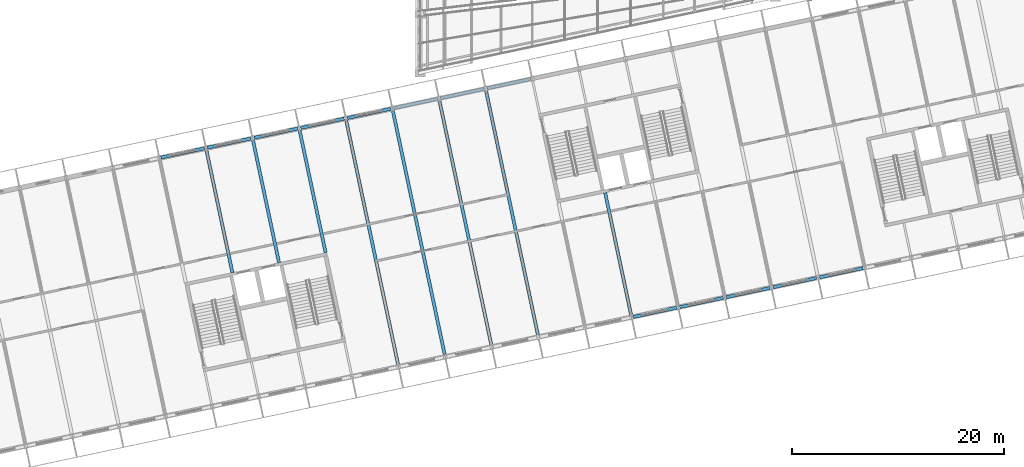
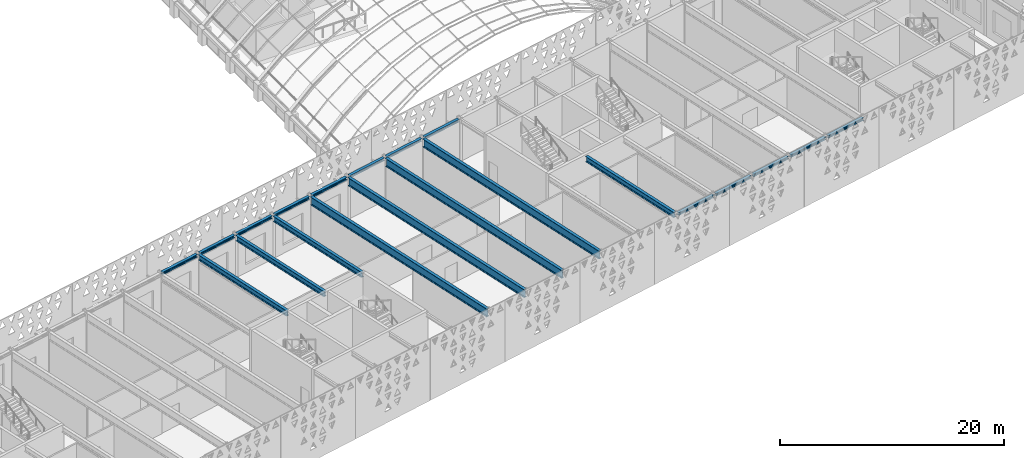
# One storey, part 29 of 182: 21 beams.
"""IFC4 building model written with IfcOpenShell, lengths in metres."""

from ifc_helpers import new_model, si_unit, direction, frame, origin, origin_2d, place, context, subcontext, project, spatial, i_section, extrude, material, material_profile, profile_set, type_object, element, save


model = new_model("IFC4")

# Units and contexts
model_context = context("Model", 3, precision=1e-05, world=origin(), true_north=direction((0.0, 1.0)))
body_context = subcontext(model_context, "Body", "Model", "MODEL_VIEW")
ifc_project = project(units=[si_unit("LENGTHUNIT", "METRE"), si_unit("AREAUNIT", "SQUARE_METRE"), si_unit("VOLUMEUNIT", "CUBIC_METRE"), si_unit("PLANEANGLEUNIT", "RADIAN"), si_unit("MASSUNIT", "GRAM", prefix="KILO")], contexts=[model_context])

# Site, building, storey
site_placement = place(None, origin())
site = spatial("IfcSite", under=ifc_project, at=site_placement, CompositionType="ELEMENT")
building_placement = place(site_placement, origin())
building = spatial("IfcBuilding", under=site, at=building_placement, Name="Okhra Congress Centre", CompositionType="ELEMENT")
storey_placement = place(building_placement, frame((0.0, 0.0, 7.199951171875)))
storey = spatial("IfcBuildingStorey", under=building, at=storey_placement, Name="L01", CompositionType="ELEMENT", Elevation=7.199951171875)

# Beams
ifc_material = material(Name="Steel S355J2", Category="steel")
ifc_material_profile_1 = material_profile(ifc_material, i_section(OverallWidth=0.300048828125, OverallDepth=0.2900390625, WebThickness=0.008544921875, FlangeThickness=0.013916015625, FilletRadius=0.027099609375, at=origin_2d()), Name="HE 300 A")
ifc_profile_set_1 = profile_set([ifc_material_profile_1], Name="Steel S355J2")
beam_type_1 = type_object("IfcBeamType", Name="Edge beam HE 300 A", PredefinedType="BEAM", material=ifc_profile_set_1)
for number, where, z_axis, x_axis, name in (
    (1, (175.60107421875, 51.166015625, 4.505126953125), (0.978143927149, 0.207928972925, 0.0), (-0.207928972925, 0.978143927149, 0.0), "Edge beam S27"),
    (2, (180.002685546875, 52.101806640625, 4.505126953125), (0.978155748334, 0.207873355681, 0.0), (-0.207873355681, 0.978155748334, 0.0), "Edge beam S28"),
    (3, (184.404296875, 53.037353515625, 4.505126953125), (0.978143927149, 0.207928972925, 0.0), (-0.207928972925, 0.978143927149, 0.0), "Edge beam S29"),
):
    element("IfcBeam", number, at=place(storey_placement, frame(where, z_axis=z_axis, x_axis=x_axis)), inside=storey, type_object=beam_type_1, Name=name, PredefinedType="BEAM", context=body_context, shape_type="SweptSolid", body=[
        extrude(i_section(OverallWidth=0.300048828125, OverallDepth=0.2900390625, WebThickness=0.008544921875, FlangeThickness=0.013916015625, FilletRadius=0.027099609375, at=origin_2d()), origin(), (0.0, 0.0, 1.0), 4.199951171875),
    ])
for number, where, z_axis, x_axis, name in (
    (4, (188.805908203125, 53.972900390625, 4.505126953125), (0.978146440129, 0.207917150959, 0.0), (-0.207917150959, 0.978146440129, 0.0), "Edge beam S30"),
    (5, (193.20751953125, 54.908447265625, 4.505126953125), (0.978146440129, 0.207917150959, 0.0), (-0.207917150959, 0.978146440129, 0.0), "Edge beam S31"),
):
    element("IfcBeam", number, at=place(storey_placement, frame(where, z_axis=z_axis, x_axis=x_axis)), inside=storey, type_object=beam_type_1, Name=name, PredefinedType="BEAM", context=body_context, shape_type="SweptSolid", body=[
        extrude(i_section(OverallWidth=0.300048828125, OverallDepth=0.2900390625, WebThickness=0.008544921875, FlangeThickness=0.013916015625, FilletRadius=0.027099609375, at=origin_2d()), origin(), (0.0, 0.0, 1.0), 4.2001953125),
    ])
beam_1_placement = place(storey_placement, frame((130.99609375, 66.22119140625, 4.505126953125), z_axis=(0.978143927149, 0.207928972925, 0.0), x_axis=(-0.207928972925, 0.978143927149, 0.0)))
element("IfcBeam", 6, at=beam_1_placement, inside=storey, type_object=beam_type_1, Name="Edge beam N18", PredefinedType="BEAM", context=body_context, shape_type="SweptSolid", body=[
    extrude(i_section(OverallWidth=0.300048828125, OverallDepth=0.2900390625, WebThickness=0.008544921875, FlangeThickness=0.013916015625, FilletRadius=0.027099609375, at=origin_2d()), origin(), (0.0, 0.0, 1.0), 4.199951171875),
])
beam_2_placement = place(storey_placement, frame((135.397705078125, 67.15673828125, 4.505126953125), z_axis=(0.978146440129, 0.207917150959, 0.0), x_axis=(-0.207917150959, 0.978146440129, 0.0)))
element("IfcBeam", 7, at=beam_2_placement, inside=storey, type_object=beam_type_1, Name="Edge beam N19", PredefinedType="BEAM", context=body_context, shape_type="SweptSolid", body=[
    extrude(i_section(OverallWidth=0.300048828125, OverallDepth=0.2900390625, WebThickness=0.008544921875, FlangeThickness=0.013916015625, FilletRadius=0.027099609375, at=origin_2d()), origin(), (0.0, 0.0, 1.0), 4.2001953125),
])
for number, where, z_axis, x_axis, name in (
    (8, (139.799560546875, 68.092529296875, 4.505126953125), (0.978155748334, 0.207873355681, 0.0), (-0.207873355681, 0.978155748334, 0.0), "Edge beam N20"),
    (9, (144.201171875, 69.028076171875, 4.505126953125), (0.978143927149, 0.207928972925, 0.0), (-0.207928972925, 0.978143927149, 0.0), "Edge beam N21"),
    (10, (148.602783203125, 69.963623046875, 4.505126953125), (0.978143927149, 0.207928972925, 0.0), (-0.207928972925, 0.978143927149, 0.0), "Edge beam N22"),
    (11, (153.00439453125, 70.899169921875, 4.505126953125), (0.978143927149, 0.207928972925, 0.0), (-0.207928972925, 0.978143927149, 0.0), "Edge beam N23"),
):
    element("IfcBeam", number, at=place(storey_placement, frame(where, z_axis=z_axis, x_axis=x_axis)), inside=storey, type_object=beam_type_1, Name=name, PredefinedType="BEAM", context=body_context, shape_type="SweptSolid", body=[
        extrude(i_section(OverallWidth=0.300048828125, OverallDepth=0.2900390625, WebThickness=0.008544921875, FlangeThickness=0.013916015625, FilletRadius=0.027099609375, at=origin_2d()), origin(), (0.0, 0.0, 1.0), 4.199951171875),
    ])
beam_3_placement = place(storey_placement, frame((157.406005859375, 71.834716796875, 4.505126953125), z_axis=(0.978146440129, 0.207917150959, 0.0), x_axis=(-0.207917150959, 0.978146440129, 0.0)))
element("IfcBeam", 12, at=beam_3_placement, inside=storey, type_object=beam_type_1, Name="Edge beam N24", PredefinedType="BEAM", context=body_context, shape_type="SweptSolid", body=[
    extrude(i_section(OverallWidth=0.300048828125, OverallDepth=0.2900390625, WebThickness=0.008544921875, FlangeThickness=0.013916015625, FilletRadius=0.027099609375, at=origin_2d()), origin(), (0.0, 0.0, 1.0), 4.2001953125),
])
beam_4_placement = place(storey_placement, frame((161.807861328125, 72.7705078125, 4.505126953125), z_axis=(0.978155748334, 0.207873355681, 0.0), x_axis=(-0.207873355681, 0.978155748334, 0.0)))
element("IfcBeam", 13, at=beam_4_placement, inside=storey, type_object=beam_type_1, Name="Edge beam N25", PredefinedType="BEAM", context=body_context, shape_type="SweptSolid", body=[
    extrude(i_section(OverallWidth=0.300048828125, OverallDepth=0.2900390625, WebThickness=0.008544921875, FlangeThickness=0.013916015625, FilletRadius=0.027099609375, at=origin_2d()), origin(), (0.0, 0.0, 1.0), 4.199951171875),
])
ifc_material_profile_2 = material_profile(ifc_material, i_section(OverallWidth=0.300048828125, OverallDepth=0.590087890625, WebThickness=0.012939453125, FlangeThickness=0.02490234375, FilletRadius=0.027099609375, at=origin_2d()), Name="HE 600 A")
ifc_profile_set_2 = profile_set([ifc_material_profile_2], Name="Steel S355J2")
beam_type_2 = type_object("IfcBeamType", Name="Floor beam HE 600 A", PredefinedType="BEAM", material=ifc_profile_set_2)
beam_5_placement = place(storey_placement, frame((137.751220703125, 55.36328125, 4.35498046875), z_axis=(-0.207905998145, 0.978148810731, 0.0), x_axis=(-0.978148810731, -0.207905998145, 0.0)))
element("IfcBeam", 14, at=beam_5_placement, inside=storey, type_object=beam_type_2, Name="Floor beam 18.2", PredefinedType="BEAM", context=body_context, shape_type="SweptSolid", body=[
    extrude(i_section(OverallWidth=0.300048828125, OverallDepth=0.590087890625, WebThickness=0.012939453125, FlangeThickness=0.02490234375, FilletRadius=0.027099609375, at=origin_2d()), origin(), (0.0, 0.0, 1.0), 11.80517578125),
])
beam_6_placement = place(storey_placement, frame((142.15283203125, 56.299072265625, 4.35498046875), z_axis=(-0.207910203977, 0.97814791677, 0.0), x_axis=(-0.97814791677, -0.207910203977, 0.0)))
element("IfcBeam", 15, at=beam_6_placement, inside=storey, type_object=beam_type_2, Name="Floor beam 19.2", PredefinedType="BEAM", context=body_context, shape_type="SweptSolid", body=[
    extrude(i_section(OverallWidth=0.300048828125, OverallDepth=0.590087890625, WebThickness=0.012939453125, FlangeThickness=0.02490234375, FilletRadius=0.027099609375, at=origin_2d()), origin(), (0.0, 0.0, 1.0), 11.804931640625),
])
for number, where, z_axis, x_axis, name in (
    (16, (146.554443359375, 57.234619140625, 4.35498046875), (-0.207905998145, 0.978148810731, 0.0), (-0.978148810731, -0.207905998145, 0.0), "Floor beam 20.2"),
    (17, (175.408447265625, 51.35009765625, 4.35498046875), (-0.207905998145, 0.978148810731, 0.0), (-0.978148810731, -0.207905998145, 0.0), "Floor beam 26.1"),
):
    element("IfcBeam", number, at=place(storey_placement, frame(where, z_axis=z_axis, x_axis=x_axis)), inside=storey, type_object=beam_type_2, Name=name, PredefinedType="BEAM", context=body_context, shape_type="SweptSolid", body=[
        extrude(i_section(OverallWidth=0.300048828125, OverallDepth=0.590087890625, WebThickness=0.012939453125, FlangeThickness=0.02490234375, FilletRadius=0.027099609375, at=origin_2d()), origin(), (0.0, 0.0, 1.0), 11.80517578125),
    ])
ifc_material_profile_3 = material_profile(ifc_material, i_section(OverallWidth=0.300048828125, OverallDepth=0.889892578125, WebThickness=0.01611328125, FlangeThickness=0.030029296875, FilletRadius=0.030029296875, at=origin_2d()), Name="HE 900 A")
ifc_profile_set_3 = profile_set([ifc_material_profile_3], Name="Steel S355J2")
beam_type_3 = type_object("IfcBeamType", Name="Floor beam HE 900 A", PredefinedType="BEAM", material=ifc_profile_set_3)
for number, where, z_axis, x_axis, name in (
    (18, (153.400146484375, 46.672119140625, 4.205078125), (-0.207913162874, 0.978147287837, 0.0), (-0.978147287837, -0.207913162874, 0.0), "Floor beam 21.1"),
    (19, (157.8017578125, 47.607666015625, 4.205078125), (-0.207903248293, 0.97814939521, 0.0), (-0.97814939521, -0.207903248293, 0.0), "Floor beam 22.1"),
    (20, (162.20361328125, 48.543212890625, 4.205078125), (-0.207913162874, 0.978147287837, 0.0), (-0.978147287837, -0.207913162874, 0.0), "Floor beam 23.1"),
    (21, (166.605224609375, 49.47900390625, 4.205078125), (-0.207913162874, 0.978147287837, 0.0), (-0.978147287837, -0.207913162874, 0.0), "Floor beam 24.1"),
):
    element("IfcBeam", number, at=place(storey_placement, frame(where, z_axis=z_axis, x_axis=x_axis)), inside=storey, type_object=beam_type_3, Name=name, PredefinedType="BEAM", context=body_context, shape_type="SweptSolid", body=[
        extrude(i_section(OverallWidth=0.300048828125, OverallDepth=0.889892578125, WebThickness=0.01611328125, FlangeThickness=0.030029296875, FilletRadius=0.030029296875, at=origin_2d()), origin(), (0.0, 0.0, 1.0), 23.56005859375),
    ])

save(model, "model.ifc")
